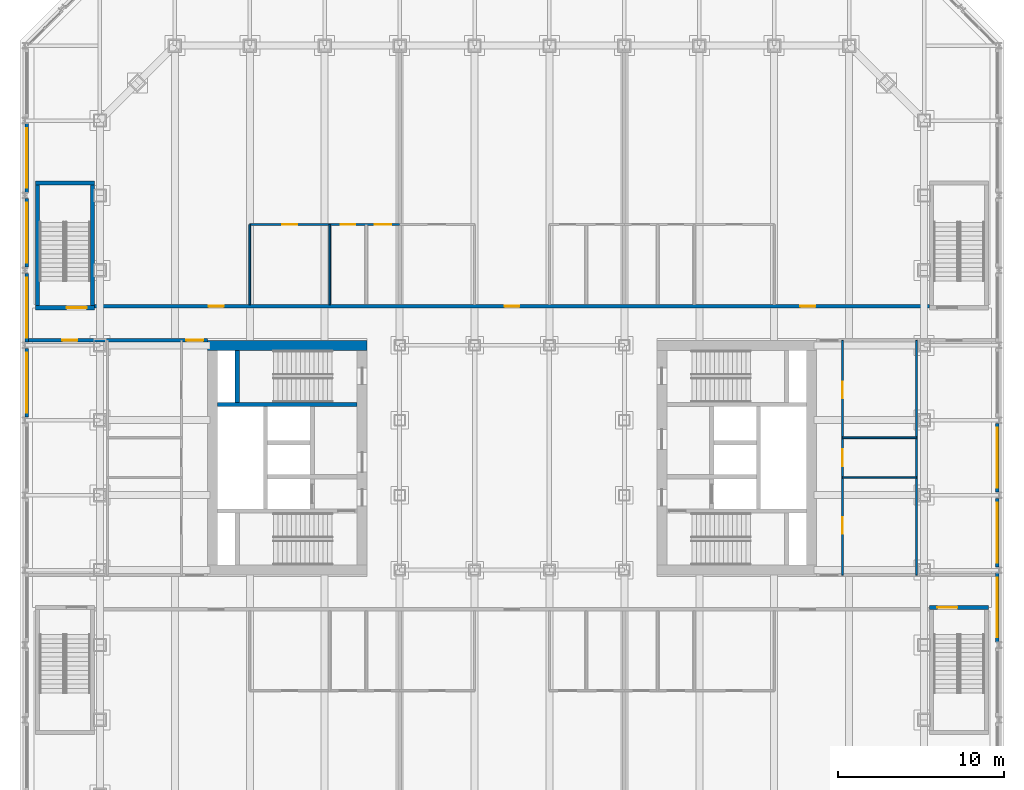
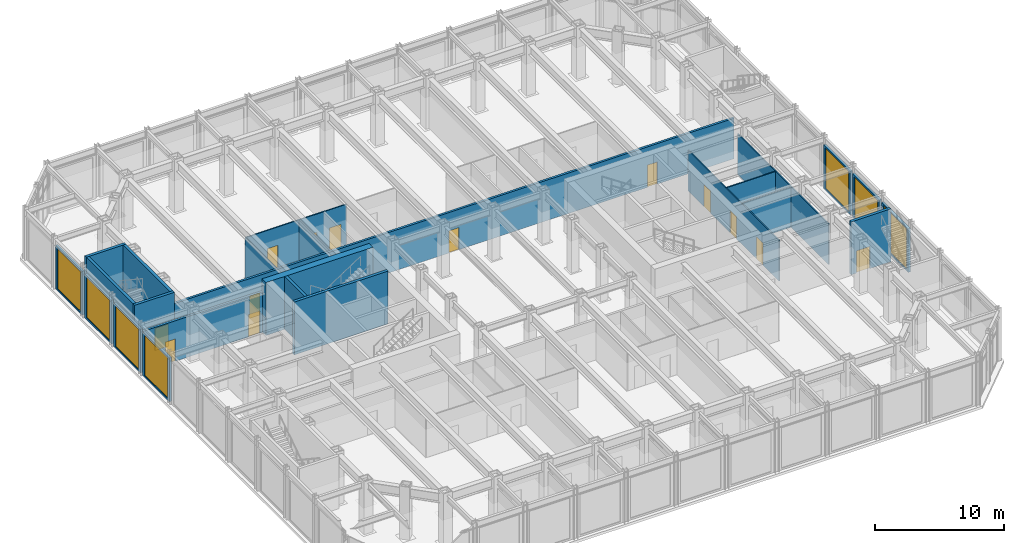
# One storey, part 13 of 19: 24 walls, 13 doors, 7 windows, 20 openings.
"""IFC4 building model written with IfcOpenShell, lengths in metres."""

from ifc_helpers import new_model, si_unit, direction, frame, frame_2d, origin, place, context, subcontext, project, spatial, rectangle, extrude, material, layer, layer_set, type_object, element, fill, save


model = new_model("IFC4")

# Units and contexts
model_context = context("Model", 3, precision=1e-05, world=origin(), true_north=direction((0.0, 1.0)))
body_context = subcontext(model_context, "Body", "Model", "MODEL_VIEW")
ifc_project = project(units=[si_unit("LENGTHUNIT", "METRE"), si_unit("AREAUNIT", "SQUARE_METRE"), si_unit("VOLUMEUNIT", "CUBIC_METRE"), si_unit("PLANEANGLEUNIT", "RADIAN"), si_unit("MASSUNIT", "GRAM", prefix="KILO")], contexts=[model_context])

# Site, building, storey
site_placement = place(None, origin())
site = spatial("IfcSite", under=ifc_project, at=site_placement, CompositionType="ELEMENT")
building_placement = place(site_placement, origin())
building = spatial("IfcBuilding", under=site, at=building_placement, Name="Msasa Ring Tower", CompositionType="ELEMENT")
storey_placement = place(building_placement, frame((0.0, 0.0, 6.0)))
storey = spatial("IfcBuildingStorey", under=building, at=storey_placement, Name="L01", CompositionType="ELEMENT", Elevation=6.0)

# Walls
ifc_material_1 = material(Name="Concrete C60/75", Category="concrete")
ifc_layer_1 = layer(ifc_material_1, 0.60009765625)
ifc_layer_set_1 = layer_set([ifc_layer_1], Name="CW1 CORE WALL 600")
wall_type_1 = type_object("IfcWallType", Name="CW1 CORE WALL 600", PredefinedType="SHEAR", material=ifc_layer_set_1)
wall_1_placement = place(storey_placement, frame((-8.699951171875, 6.75, 0.0), z_axis=(0.0, 0.0, 1.0), x_axis=(-1.0, 0.0, 0.0)))
element("IfcWall", 1, at=wall_1_placement, inside=storey, type_object=wall_type_1, Name="W core wall N L01", PredefinedType="SHEAR", context=body_context, shape_type="SweptSolid", body=[
    extrude(rectangle(XDim=9.60009765625, YDim=0.60009765625, at=frame_2d((4.800048828125, 0.0))), origin(), (0.0, 0.0, 1.0), 5.0),
])
ifc_material_2 = material(Name="Concrete C60/75", Category="concrete")
ifc_layer_2 = layer(ifc_material_2, 0.25)
ifc_layer_set_2 = layer_set([ifc_layer_2], Name="CW4 CORE INNER WALL 250")
wall_type_2 = type_object("IfcWallType", Name="CW4 CORE INNER WALL 250", PredefinedType="SHEAR", material=ifc_layer_set_2)
wall_2_placement = place(storey_placement, frame((-9.300048828125, 3.199951171875, 0.0), z_axis=(0.0, 0.0, 1.0), x_axis=(-1.0, 0.0, 0.0)))
element("IfcWall", 2, at=wall_2_placement, inside=storey, type_object=wall_type_2, Name="W core wall STAIRB L01", PredefinedType="SHEAR", context=body_context, shape_type="SweptSolid", body=[
    extrude(rectangle(XDim=8.39990234375, YDim=0.25, at=frame_2d((4.199951171875, 0.0))), origin(), (0.0, 0.0, 1.0), 5.0),
])
wall_3_placement = place(storey_placement, frame((-16.5, 3.324951171875, 0.0), z_axis=(0.0, 0.0, 1.0), x_axis=(0.0, 1.0, 0.0)))
element("IfcWall", 3, at=wall_3_placement, inside=storey, type_object=wall_type_2, Name="W core wall RISERB L01", PredefinedType="SHEAR", context=body_context, shape_type="SweptSolid", body=[
    extrude(rectangle(XDim=3.125, YDim=0.25, at=frame_2d((1.5625, 0.0))), origin(), (0.0, 0.0, 1.0), 5.0),
])

# Wall, opening, window
ifc_material_3 = material(Name="Terracotta rainscreen on blockwork", Category="masonry")
ifc_layer_3 = layer(ifc_material_3, 0.199951171875)
ifc_layer_set_3 = layer_set([ifc_layer_3], Name="FW2 TERRACOTTA PODIUM BAY WALL 200")
wall_type_3 = type_object("IfcWallType", Name="FW2 TERRACOTTA PODIUM BAY WALL 200", PredefinedType="SOLIDWALL", material=ifc_layer_set_3)
wall_4_placement = place(storey_placement, frame((29.14990234375, -11.0625, 0.0), z_axis=(0.0, 0.0, 1.0), x_axis=(0.0, 1.0, 0.0)))
wall_4 = element("IfcWall", 4, at=wall_4_placement, inside=storey, type_object=wall_type_3, Name="Podium bay wall E L01 16", PredefinedType="SOLIDWALL", context=body_context, shape_type="SweptSolid", body=[
    extrude(rectangle(XDim=4.125, YDim=0.199951171875, at=frame_2d((2.0625, 0.0))), origin(), (0.0, 0.0, 1.0), 4.1328125),
])
opening_1_placement = place(wall_4_placement, frame((0.262451171875, 0.0, 0.14990234375)))
opening_1 = element("IfcOpeningElement", 5, at=opening_1_placement, cuts=wall_4, Name="Opening SF2", PredefinedType="OPENING", context=body_context, shape_type="SweptSolid", body=[
    extrude(rectangle(XDim=3.60009765625, YDim=3.8330078125, at=frame_2d((1.800048828125, 1.91650390625))), frame((0.0, 0.10986328125, 0.0), z_axis=(0.0, -1.0, 0.0), x_axis=(1.0, 0.0, 0.0)), (0.0, 0.0, 1.0), 0.219970703125),
])
ifc_material_4 = material(Name="Aluminium frame with clear glass", Category="aluminium")
window_type = type_object("IfcWindowType", Name="SF2 SHOPFRONT GLAZING 3600x3833", PartitioningType="SINGLE_PANEL", PredefinedType="WINDOW", material=ifc_material_4)
window_1_placement = place(opening_1_placement, origin())
window_1 = element("IfcWindow", 6, at=window_1_placement, inside=storey, type_object=window_type, Name="Shopfront glazing E L01 16", OverallHeight=3.8330078125, OverallWidth=3.60009765625, PartitioningType="SINGLE_PANEL", PredefinedType="WINDOW", context=body_context, shape_type="SweptSolid", body=[
    extrude(rectangle(XDim=3.60009765625, YDim=3.8330078125, at=frame_2d((1.800048828125, 1.91650390625))), frame((0.0, 0.030029296875, 0.0), z_axis=(0.0, -1.0, 0.0), x_axis=(1.0, 0.0, 0.0)), (0.0, 0.0, 1.0), 0.06005859375),
])
fill(opening_1, window_1)

wall_5_placement = place(storey_placement, frame((29.14990234375, -6.5625, 0.0), z_axis=(0.0, 0.0, 1.0), x_axis=(0.0, 1.0, 0.0)))
wall_5 = element("IfcWall", 7, at=wall_5_placement, inside=storey, type_object=wall_type_3, Name="Podium bay wall E L01 17", PredefinedType="SOLIDWALL", context=body_context, shape_type="SweptSolid", body=[
    extrude(rectangle(XDim=4.124755859375, YDim=0.199951171875, at=frame_2d((2.0625, 0.0))), origin(), (0.0, 0.0, 1.0), 4.1328125),
])
opening_2_placement = place(wall_5_placement, frame((0.262451171875, 0.0, 0.14990234375)))
opening_2 = element("IfcOpeningElement", 8, at=opening_2_placement, cuts=wall_5, Name="Opening SF2", PredefinedType="OPENING", context=body_context, shape_type="SweptSolid", body=[
    extrude(rectangle(XDim=3.60009765625, YDim=3.8330078125, at=frame_2d((1.800048828125, 1.91650390625))), frame((0.0, 0.10986328125, 0.0), z_axis=(0.0, -1.0, 0.0), x_axis=(1.0, 0.0, 0.0)), (0.0, 0.0, 1.0), 0.219970703125),
])
window_2_placement = place(opening_2_placement, origin())
window_2 = element("IfcWindow", 9, at=window_2_placement, inside=storey, type_object=window_type, Name="Shopfront glazing E L01 17", OverallHeight=3.8330078125, OverallWidth=3.60009765625, PartitioningType="SINGLE_PANEL", PredefinedType="WINDOW", context=body_context, shape_type="SweptSolid", body=[
    extrude(rectangle(XDim=3.60009765625, YDim=3.8330078125, at=frame_2d((1.800048828125, 1.91650390625))), frame((0.0, 0.030029296875, 0.0), z_axis=(0.0, -1.0, 0.0), x_axis=(1.0, 0.0, 0.0)), (0.0, 0.0, 1.0), 0.06005859375),
])
fill(opening_2, window_2)

wall_6_placement = place(storey_placement, frame((29.14990234375, -2.062255859375, 0.0), z_axis=(0.0, 0.0, 1.0), x_axis=(0.0, 1.0, 0.0)))
wall_6 = element("IfcWall", 10, at=wall_6_placement, inside=storey, type_object=wall_type_3, Name="Podium bay wall E L01 18", PredefinedType="SOLIDWALL", context=body_context, shape_type="SweptSolid", body=[
    extrude(rectangle(XDim=4.12451171875, YDim=0.199951171875, at=frame_2d((2.062255859375, 0.0))), origin(), (0.0, 0.0, 1.0), 4.1328125),
])
opening_3_placement = place(wall_6_placement, frame((0.26220703125, 0.0, 0.14990234375)))
opening_3 = element("IfcOpeningElement", 11, at=opening_3_placement, cuts=wall_6, Name="Opening SF2", PredefinedType="OPENING", context=body_context, shape_type="SweptSolid", body=[
    extrude(rectangle(XDim=3.60009765625, YDim=3.8330078125, at=frame_2d((1.800048828125, 1.91650390625))), frame((0.0, 0.10986328125, 0.0), z_axis=(0.0, -1.0, 0.0), x_axis=(1.0, 0.0, 0.0)), (0.0, 0.0, 1.0), 0.219970703125),
])
window_3_placement = place(opening_3_placement, origin())
window_3 = element("IfcWindow", 12, at=window_3_placement, inside=storey, type_object=window_type, Name="Shopfront glazing E L01 18", OverallHeight=3.8330078125, OverallWidth=3.60009765625, PartitioningType="SINGLE_PANEL", PredefinedType="WINDOW", context=body_context, shape_type="SweptSolid", body=[
    extrude(rectangle(XDim=3.60009765625, YDim=3.8330078125, at=frame_2d((1.800048828125, 1.91650390625))), frame((0.0, 0.030029296875, 0.0), z_axis=(0.0, -1.0, 0.0), x_axis=(1.0, 0.0, 0.0)), (0.0, 0.0, 1.0), 0.06005859375),
])
fill(opening_3, window_3)

wall_7_placement = place(storey_placement, frame((-29.14990234375, 2.437744140625, 0.0), z_axis=(0.0, 0.0, 1.0), x_axis=(0.0, 1.0, 0.0)))
wall_7 = element("IfcWall", 13, at=wall_7_placement, inside=storey, type_object=wall_type_3, Name="Podium bay wall W L01 45", PredefinedType="SOLIDWALL", context=body_context, shape_type="SweptSolid", body=[
    extrude(rectangle(XDim=4.124755859375, YDim=0.199951171875, at=frame_2d((2.0625, 0.0))), origin(), (0.0, 0.0, 1.0), 4.1328125),
])
opening_4_placement = place(wall_7_placement, frame((0.26220703125, 0.0, 0.14990234375)))
opening_4 = element("IfcOpeningElement", 14, at=opening_4_placement, cuts=wall_7, Name="Opening SF2", PredefinedType="OPENING", context=body_context, shape_type="SweptSolid", body=[
    extrude(rectangle(XDim=3.60009765625, YDim=3.8330078125, at=frame_2d((1.800048828125, 1.91650390625))), frame((0.0, 0.10986328125, 0.0), z_axis=(0.0, -1.0, 0.0), x_axis=(1.0, 0.0, 0.0)), (0.0, 0.0, 1.0), 0.219970703125),
])
window_4_placement = place(opening_4_placement, origin())
window_4 = element("IfcWindow", 15, at=window_4_placement, inside=storey, type_object=window_type, Name="Shopfront glazing W L01 45", OverallHeight=3.8330078125, OverallWidth=3.60009765625, PartitioningType="SINGLE_PANEL", PredefinedType="WINDOW", context=body_context, shape_type="SweptSolid", body=[
    extrude(rectangle(XDim=3.60009765625, YDim=3.8330078125, at=frame_2d((1.800048828125, 1.91650390625))), frame((0.0, 0.030029296875, 0.0), z_axis=(0.0, -1.0, 0.0), x_axis=(1.0, 0.0, 0.0)), (0.0, 0.0, 1.0), 0.06005859375),
])
fill(opening_4, window_4)

wall_8_placement = place(storey_placement, frame((-29.14990234375, 6.9375, 0.0), z_axis=(0.0, 0.0, 1.0), x_axis=(0.0, 1.0, 0.0)))
wall_8 = element("IfcWall", 16, at=wall_8_placement, inside=storey, type_object=wall_type_3, Name="Podium bay wall W L01 46", PredefinedType="SOLIDWALL", context=body_context, shape_type="SweptSolid", body=[
    extrude(rectangle(XDim=4.125, YDim=0.199951171875, at=frame_2d((2.0625, 0.0))), origin(), (0.0, 0.0, 1.0), 4.1328125),
])
opening_5_placement = place(wall_8_placement, frame((0.262451171875, 0.0, 0.14990234375)))
opening_5 = element("IfcOpeningElement", 17, at=opening_5_placement, cuts=wall_8, Name="Opening SF2", PredefinedType="OPENING", context=body_context, shape_type="SweptSolid", body=[
    extrude(rectangle(XDim=3.60009765625, YDim=3.8330078125, at=frame_2d((1.800048828125, 1.91650390625))), frame((0.0, 0.10986328125, 0.0), z_axis=(0.0, -1.0, 0.0), x_axis=(1.0, 0.0, 0.0)), (0.0, 0.0, 1.0), 0.219970703125),
])
window_5_placement = place(opening_5_placement, origin())
window_5 = element("IfcWindow", 18, at=window_5_placement, inside=storey, type_object=window_type, Name="Shopfront glazing W L01 46", OverallHeight=3.8330078125, OverallWidth=3.60009765625, PartitioningType="SINGLE_PANEL", PredefinedType="WINDOW", context=body_context, shape_type="SweptSolid", body=[
    extrude(rectangle(XDim=3.60009765625, YDim=3.8330078125, at=frame_2d((1.800048828125, 1.91650390625))), frame((0.0, 0.030029296875, 0.0), z_axis=(0.0, -1.0, 0.0), x_axis=(1.0, 0.0, 0.0)), (0.0, 0.0, 1.0), 0.06005859375),
])
fill(opening_5, window_5)

wall_9_placement = place(storey_placement, frame((-29.14990234375, 11.4375, 0.0), z_axis=(0.0, 0.0, 1.0), x_axis=(0.0, 1.0, 0.0)))
wall_9 = element("IfcWall", 19, at=wall_9_placement, inside=storey, type_object=wall_type_3, Name="Podium bay wall W L01 47", PredefinedType="SOLIDWALL", context=body_context, shape_type="SweptSolid", body=[
    extrude(rectangle(XDim=4.125, YDim=0.199951171875, at=frame_2d((2.0625, 0.0))), origin(), (0.0, 0.0, 1.0), 4.1328125),
])
opening_6_placement = place(wall_9_placement, frame((0.262451171875, 0.0, 0.14990234375)))
opening_6 = element("IfcOpeningElement", 20, at=opening_6_placement, cuts=wall_9, Name="Opening SF2", PredefinedType="OPENING", context=body_context, shape_type="SweptSolid", body=[
    extrude(rectangle(XDim=3.60009765625, YDim=3.8330078125, at=frame_2d((1.800048828125, 1.91650390625))), frame((0.0, 0.10986328125, 0.0), z_axis=(0.0, -1.0, 0.0), x_axis=(1.0, 0.0, 0.0)), (0.0, 0.0, 1.0), 0.219970703125),
])
window_6_placement = place(opening_6_placement, origin())
window_6 = element("IfcWindow", 21, at=window_6_placement, inside=storey, type_object=window_type, Name="Shopfront glazing W L01 47", OverallHeight=3.8330078125, OverallWidth=3.60009765625, PartitioningType="SINGLE_PANEL", PredefinedType="WINDOW", context=body_context, shape_type="SweptSolid", body=[
    extrude(rectangle(XDim=3.60009765625, YDim=3.8330078125, at=frame_2d((1.800048828125, 1.91650390625))), frame((0.0, 0.030029296875, 0.0), z_axis=(0.0, -1.0, 0.0), x_axis=(1.0, 0.0, 0.0)), (0.0, 0.0, 1.0), 0.06005859375),
])
fill(opening_6, window_6)

wall_10_placement = place(storey_placement, frame((-29.14990234375, 15.9375, 0.0), z_axis=(0.0, 0.0, 1.0), x_axis=(0.0, 1.0, 0.0)))
wall_10 = element("IfcWall", 22, at=wall_10_placement, inside=storey, type_object=wall_type_3, Name="Podium bay wall W L01 48", PredefinedType="SOLIDWALL", context=body_context, shape_type="SweptSolid", body=[
    extrude(rectangle(XDim=4.124755859375, YDim=0.199951171875, at=frame_2d((2.0625, 0.0))), origin(), (0.0, 0.0, 1.0), 4.1328125),
])
opening_7_placement = place(wall_10_placement, frame((0.262451171875, 0.0, 0.14990234375)))
opening_7 = element("IfcOpeningElement", 23, at=opening_7_placement, cuts=wall_10, Name="Opening SF2", PredefinedType="OPENING", context=body_context, shape_type="SweptSolid", body=[
    extrude(rectangle(XDim=3.60009765625, YDim=3.8330078125, at=frame_2d((1.800048828125, 1.91650390625))), frame((0.0, 0.10986328125, 0.0), z_axis=(0.0, -1.0, 0.0), x_axis=(1.0, 0.0, 0.0)), (0.0, 0.0, 1.0), 0.219970703125),
])
window_7_placement = place(opening_7_placement, origin())
window_7 = element("IfcWindow", 24, at=window_7_placement, inside=storey, type_object=window_type, Name="Shopfront glazing W L01 48", OverallHeight=3.8330078125, OverallWidth=3.60009765625, PartitioningType="SINGLE_PANEL", PredefinedType="WINDOW", context=body_context, shape_type="SweptSolid", body=[
    extrude(rectangle(XDim=3.60009765625, YDim=3.8330078125, at=frame_2d((1.800048828125, 1.91650390625))), frame((0.0, 0.030029296875, 0.0), z_axis=(0.0, -1.0, 0.0), x_axis=(1.0, 0.0, 0.0)), (0.0, 0.0, 1.0), 0.06005859375),
])
fill(opening_7, window_7)

# Wall, openings, doors
ifc_material_5 = material(Name="Concrete blockwork", Category="masonry")
ifc_layer_4 = layer(ifc_material_5, 0.199951171875)
ifc_layer_set_4 = layer_set([ifc_layer_4], Name="PT1 CORRIDOR WALL 200")
wall_type_4 = type_object("IfcWallType", Name="PT1 CORRIDOR WALL 200", PredefinedType="PARTITIONING", material=ifc_layer_set_4)
wall_11_placement = place(storey_placement, frame((-25.074951171875, 9.10009765625, 0.0), z_axis=(0.0, 0.0, 1.0), x_axis=(1.0, 0.0, 0.0)))
wall_11 = element("IfcWall", 25, at=wall_11_placement, inside=storey, type_object=wall_type_4, Name="Corridor wall L01-CORRN1", PredefinedType="PARTITIONING", context=body_context, shape_type="SweptSolid", body=[
    extrude(rectangle(XDim=50.14990234375, YDim=0.199951171875, at=frame_2d((25.074951171875, 0.0))), origin(), (0.0, 0.0, 1.0), 3.8291015625),
])
opening_8_placement = place(wall_11_placement, frame((6.85009765625, 0.0, 0.0)))
opening_8 = element("IfcOpeningElement", 26, at=opening_8_placement, cuts=wall_11, Name="Opening L01-010", PredefinedType="OPENING", context=body_context, shape_type="SweptSolid", body=[
    extrude(rectangle(XDim=0.89990234375, YDim=2.10009765625, at=frame_2d((0.449951171875, 1.050048828125))), frame((0.0, 0.10986328125, 0.0), z_axis=(0.0, -1.0, 0.0), x_axis=(1.0, 0.0, 0.0)), (0.0, 0.0, 1.0), 0.219970703125),
])
opening_9_placement = place(wall_11_placement, frame((24.625, 0.0, 0.0)))
opening_9 = element("IfcOpeningElement", 27, at=opening_9_placement, cuts=wall_11, Name="Opening L01-011", PredefinedType="OPENING", context=body_context, shape_type="SweptSolid", body=[
    extrude(rectangle(XDim=0.89990234375, YDim=2.10009765625, at=frame_2d((0.449951171875, 1.050048828125))), frame((0.0, 0.10986328125, 0.0), z_axis=(0.0, -1.0, 0.0), x_axis=(1.0, 0.0, 0.0)), (0.0, 0.0, 1.0), 0.219970703125),
])
opening_10_placement = place(wall_11_placement, frame((42.39990234375, 0.0, 0.0)))
opening_10 = element("IfcOpeningElement", 28, at=opening_10_placement, cuts=wall_11, Name="Opening L01-012", PredefinedType="OPENING", context=body_context, shape_type="SweptSolid", body=[
    extrude(rectangle(XDim=0.89990234375, YDim=2.10009765625, at=frame_2d((0.449951171875, 1.050048828125))), frame((0.0, 0.10986328125, 0.0), z_axis=(0.0, -1.0, 0.0), x_axis=(1.0, 0.0, 0.0)), (0.0, 0.0, 1.0), 0.219970703125),
])
ifc_material_6 = material(Name="Timber door leaf in a steel frame", Category="steel")
door_type_1 = type_object("IfcDoorType", Name="D1 SINGLE DOOR TO CORRIDOR 900x2100", OperationType="SINGLE_SWING_LEFT", PredefinedType="DOOR", material=ifc_material_6)
door_1_placement = place(opening_8_placement, origin())
door_1 = element("IfcDoor", 29, at=door_1_placement, inside=storey, type_object=door_type_1, Name="Door L01-PDN0", OperationType="SINGLE_SWING_LEFT", OverallHeight=2.10009765625, OverallWidth=0.89990234375, PredefinedType="DOOR", context=body_context, shape_type="SweptSolid", body=[
    extrude(rectangle(XDim=0.89990234375, YDim=2.10009765625, at=frame_2d((0.449951171875, 1.050048828125))), frame((0.0, 0.02490234375, 0.0), z_axis=(0.0, -1.0, 0.0), x_axis=(1.0, 0.0, 0.0)), (0.0, 0.0, 1.0), 0.050048828125),
])
fill(opening_8, door_1)
door_2_placement = place(opening_9_placement, origin())
door_2 = element("IfcDoor", 30, at=door_2_placement, inside=storey, type_object=door_type_1, Name="Door L01-PDN1", OperationType="SINGLE_SWING_LEFT", OverallHeight=2.10009765625, OverallWidth=0.89990234375, PredefinedType="DOOR", context=body_context, shape_type="SweptSolid", body=[
    extrude(rectangle(XDim=0.89990234375, YDim=2.10009765625, at=frame_2d((0.449951171875, 1.050048828125))), frame((0.0, 0.02490234375, 0.0), z_axis=(0.0, -1.0, 0.0), x_axis=(1.0, 0.0, 0.0)), (0.0, 0.0, 1.0), 0.050048828125),
])
fill(opening_9, door_2)
door_3_placement = place(opening_10_placement, origin())
door_3 = element("IfcDoor", 31, at=door_3_placement, inside=storey, type_object=door_type_1, Name="Door L01-PDN2", OperationType="SINGLE_SWING_RIGHT", OverallHeight=2.10009765625, OverallWidth=0.89990234375, PredefinedType="DOOR", context=body_context, shape_type="SweptSolid", body=[
    extrude(rectangle(XDim=0.89990234375, YDim=2.10009765625, at=frame_2d((0.449951171875, 1.050048828125))), frame((0.0, 0.02490234375, 0.0), z_axis=(0.0, -1.0, 0.0), x_axis=(1.0, 0.0, 0.0)), (0.0, 0.0, 1.0), 0.050048828125),
])
fill(opening_10, door_3)

wall_12_placement = place(storey_placement, frame((-29.050048828125, 7.050048828125, 0.0), z_axis=(0.0, 0.0, 1.0), x_axis=(1.0, 0.0, 0.0)))
wall_12 = element("IfcWall", 32, at=wall_12_placement, inside=storey, type_object=wall_type_4, Name="Corridor wall L01-STRWN", PredefinedType="PARTITIONING", context=body_context, shape_type="SweptSolid", body=[
    extrude(rectangle(XDim=10.75, YDim=0.199951171875, at=frame_2d((5.375, 0.0))), origin(), (0.0, 0.0, 1.0), 3.8291015625),
])
opening_11_placement = place(wall_12_placement, frame((2.052490234375, 0.0, 0.0)))
opening_11 = element("IfcOpeningElement", 33, at=opening_11_placement, cuts=wall_12, Name="Opening L01-015", PredefinedType="OPENING", context=body_context, shape_type="SweptSolid", body=[
    extrude(rectangle(XDim=0.89990234375, YDim=2.10009765625, at=frame_2d((0.449951171875, 1.050048828125))), frame((0.0, 0.10986328125, 0.0), z_axis=(0.0, -1.0, 0.0), x_axis=(1.0, 0.0, 0.0)), (0.0, 0.0, 1.0), 0.219970703125),
])
opening_12_placement = place(wall_12_placement, frame((9.5, 0.0, 0.0)))
opening_12 = element("IfcOpeningElement", 34, at=opening_12_placement, cuts=wall_12, Name="Opening L01-016", PredefinedType="OPENING", context=body_context, shape_type="SweptSolid", body=[
    extrude(rectangle(XDim=1.0, YDim=2.10009765625, at=frame_2d((0.5, 1.050048828125))), frame((0.0, 0.10986328125, 0.0), z_axis=(0.0, -1.0, 0.0), x_axis=(1.0, 0.0, 0.0)), (0.0, 0.0, 1.0), 0.219970703125),
])
door_4_placement = place(opening_11_placement, origin())
door_4 = element("IfcDoor", 35, at=door_4_placement, inside=storey, type_object=door_type_1, Name="Door L01-WOW", OperationType="SINGLE_SWING_LEFT", OverallHeight=2.10009765625, OverallWidth=0.89990234375, PredefinedType="DOOR", context=body_context, shape_type="SweptSolid", body=[
    extrude(rectangle(XDim=0.89990234375, YDim=2.10009765625, at=frame_2d((0.449951171875, 1.050048828125))), frame((0.0, 0.02490234375, 0.0), z_axis=(0.0, -1.0, 0.0), x_axis=(1.0, 0.0, 0.0)), (0.0, 0.0, 1.0), 0.050048828125),
])
fill(opening_11, door_4)
ifc_material_7 = material(Name="Timber door leaf in a steel frame", Category="steel")
door_type_2 = type_object("IfcDoorType", Name="D12 WC DOOR 1000x2100", OperationType="SINGLE_SWING_LEFT", PredefinedType="DOOR", material=ifc_material_7)
door_5_placement = place(opening_12_placement, origin())
door_5 = element("IfcDoor", 36, at=door_5_placement, inside=storey, type_object=door_type_2, Name="Door L01-WLWN", OperationType="SINGLE_SWING_RIGHT", OverallHeight=2.10009765625, OverallWidth=1.0, PredefinedType="DOOR", context=body_context, shape_type="SweptSolid", body=[
    extrude(rectangle(XDim=1.0, YDim=2.10009765625, at=frame_2d((0.5, 1.050048828125))), frame((0.0, 0.02490234375, 0.0), z_axis=(0.0, -1.0, 0.0), x_axis=(1.0, 0.0, 0.0)), (0.0, 0.0, 1.0), 0.050048828125),
])
fill(opening_12, door_5)

ifc_material_8 = material(Name="Gypsum board on steel studs", Category="steel")
ifc_layer_5 = layer(ifc_material_8, 0.10009765625)
ifc_layer_set_5 = layer_set([ifc_layer_5], Name="PT2 STUD PARTITION 100")
wall_type_5 = type_object("IfcWallType", Name="PT2 STUD PARTITION 100", PredefinedType="PARTITIONING", material=ifc_layer_set_5)
wall_13_placement = place(storey_placement, frame((-15.75, 14.0, 0.0), z_axis=(0.0, 0.0, 1.0), x_axis=(1.0, 0.0, 0.0)))
wall_13 = element("IfcWall", 37, at=wall_13_placement, inside=storey, type_object=wall_type_5, Name="Partition L01-PDN0BY", PredefinedType="PARTITIONING", context=body_context, shape_type="SweptSolid", body=[
    extrude(rectangle(XDim=9.0, YDim=0.10009765625, at=frame_2d((4.5, 0.0))), origin(), (0.0, 0.0, 1.0), 3.8291015625),
])
opening_13_placement = place(wall_13_placement, frame((1.949951171875, 0.0, 0.0)))
opening_13 = element("IfcOpeningElement", 38, at=opening_13_placement, cuts=wall_13, Name="Opening L01-001", PredefinedType="OPENING", context=body_context, shape_type="SweptSolid", body=[
    extrude(rectangle(XDim=0.89990234375, YDim=2.10009765625, at=frame_2d((0.449951171875, 1.050048828125))), frame((0.0, 0.06005859375, 0.0), z_axis=(0.0, -1.0, 0.0), x_axis=(1.0, 0.0, 0.0)), (0.0, 0.0, 1.0), 0.1201171875),
])
opening_14_placement = place(wall_13_placement, frame((5.449951171875, 0.0, 0.0)))
opening_14 = element("IfcOpeningElement", 39, at=opening_14_placement, cuts=wall_13, Name="Opening L01-002", PredefinedType="OPENING", context=body_context, shape_type="SweptSolid", body=[
    extrude(rectangle(XDim=0.89990234375, YDim=2.10009765625, at=frame_2d((0.449951171875, 1.050048828125))), frame((0.0, 0.06005859375, 0.0), z_axis=(0.0, -1.0, 0.0), x_axis=(1.0, 0.0, 0.0)), (0.0, 0.0, 1.0), 0.1201171875),
])
opening_15_placement = place(wall_13_placement, frame((7.5, 0.0, 0.0)))
opening_15 = element("IfcOpeningElement", 40, at=opening_15_placement, cuts=wall_13, Name="Opening L01-003", PredefinedType="OPENING", context=body_context, shape_type="SweptSolid", body=[
    extrude(rectangle(XDim=1.0, YDim=2.10009765625, at=frame_2d((0.5, 1.050048828125))), frame((0.0, 0.06005859375, 0.0), z_axis=(0.0, -1.0, 0.0), x_axis=(1.0, 0.0, 0.0)), (0.0, 0.0, 1.0), 0.1201171875),
])
door_6_placement = place(opening_15_placement, origin())
door_6 = element("IfcDoor", 41, at=door_6_placement, inside=storey, type_object=door_type_2, Name="Door L01-PDN0B2", OperationType="SINGLE_SWING_RIGHT", OverallHeight=2.10009765625, OverallWidth=1.0, PredefinedType="DOOR", context=body_context, shape_type="SweptSolid", body=[
    extrude(rectangle(XDim=1.0, YDim=2.10009765625, at=frame_2d((0.5, 1.050048828125))), frame((0.0, 0.02490234375, 0.0), z_axis=(0.0, -1.0, 0.0), x_axis=(1.0, 0.0, 0.0)), (0.0, 0.0, 1.0), 0.050048828125),
])
fill(opening_15, door_6)
ifc_material_9 = material(Name="Timber door leaf in a steel frame", Category="steel")
door_type_3 = type_object("IfcDoorType", Name="D22 INTERNAL HALL DOOR 900x2100", OperationType="SINGLE_SWING_LEFT", PredefinedType="DOOR", material=ifc_material_9)
door_7_placement = place(opening_13_placement, origin())
door_7 = element("IfcDoor", 42, at=door_7_placement, inside=storey, type_object=door_type_3, Name="Door L01-PDN0B0", OperationType="SINGLE_SWING_LEFT", OverallHeight=2.10009765625, OverallWidth=0.89990234375, PredefinedType="DOOR", context=body_context, shape_type="SweptSolid", body=[
    extrude(rectangle(XDim=0.89990234375, YDim=2.10009765625, at=frame_2d((0.449951171875, 1.050048828125))), frame((0.0, 0.02490234375, 0.0), z_axis=(0.0, -1.0, 0.0), x_axis=(1.0, 0.0, 0.0)), (0.0, 0.0, 1.0), 0.050048828125),
])
fill(opening_13, door_7)
door_8_placement = place(opening_14_placement, origin())
door_8 = element("IfcDoor", 43, at=door_8_placement, inside=storey, type_object=door_type_3, Name="Door L01-PDN0B1", OperationType="SINGLE_SWING_RIGHT", OverallHeight=2.10009765625, OverallWidth=0.89990234375, PredefinedType="DOOR", context=body_context, shape_type="SweptSolid", body=[
    extrude(rectangle(XDim=0.89990234375, YDim=2.10009765625, at=frame_2d((0.449951171875, 1.050048828125))), frame((0.0, 0.02490234375, 0.0), z_axis=(0.0, -1.0, 0.0), x_axis=(1.0, 0.0, 0.0)), (0.0, 0.0, 1.0), 0.050048828125),
])
fill(opening_14, door_8)

# Walls
for number, where, z_axis, x_axis, name in (
    (44, (-15.75, 9.199951171875, 0.0), (0.0, 0.0, 1.0), (0.0, 1.0, 0.0), "Partition L01-PDN0BX-15.75"),
    (45, (-10.949951171875, 9.199951171875, 0.0), (0.0, 0.0, 1.0), (0.0, 1.0, 0.0), "Partition L01-PDN0BX-10.95"),
):
    element("IfcWall", number, at=place(storey_placement, frame(where, z_axis=z_axis, x_axis=x_axis)), inside=storey, type_object=wall_type_5, Name=name, PredefinedType="PARTITIONING", context=body_context, shape_type="SweptSolid", body=[
        extrude(rectangle(XDim=4.800048828125, YDim=0.10009765625, at=frame_2d((2.39990234375, 0.0))), origin(), (0.0, 0.0, 1.0), 3.8291015625),
    ])

# Wall, openings, doors
wall_14_placement = place(storey_placement, frame((19.85009765625, -7.050048828125, 0.0), z_axis=(0.0, 0.0, 1.0), x_axis=(0.0, 1.0, 0.0)))
wall_14 = element("IfcWall", 46, at=wall_14_placement, inside=storey, type_object=wall_type_5, Name="Partition L01-WCEL", PredefinedType="PARTITIONING", context=body_context, shape_type="SweptSolid", body=[
    extrude(rectangle(XDim=14.10009765625, YDim=0.10009765625, at=frame_2d((7.050048828125, 0.0))), origin(), (0.0, 0.0, 1.0), 3.8291015625),
])
opening_16_placement = place(wall_14_placement, frame((2.47509765625, 0.0, 0.0)))
opening_16 = element("IfcOpeningElement", 47, at=opening_16_placement, cuts=wall_14, Name="Opening L01-032", PredefinedType="OPENING", context=body_context, shape_type="SweptSolid", body=[
    extrude(rectangle(XDim=1.0, YDim=2.10009765625, at=frame_2d((0.5, 1.050048828125))), frame((0.0, 0.06005859375, 0.0), z_axis=(0.0, -1.0, 0.0), x_axis=(1.0, 0.0, 0.0)), (0.0, 0.0, 1.0), 0.1201171875),
])
opening_17_placement = place(wall_14_placement, frame((6.550048828125, 0.0, 0.0)))
opening_17 = element("IfcOpeningElement", 48, at=opening_17_placement, cuts=wall_14, Name="Opening L01-025", PredefinedType="OPENING", context=body_context, shape_type="SweptSolid", body=[
    extrude(rectangle(XDim=1.0, YDim=2.10009765625, at=frame_2d((0.5, 1.050048828125))), frame((0.0, 0.06005859375, 0.0), z_axis=(0.0, -1.0, 0.0), x_axis=(1.0, 0.0, 0.0)), (0.0, 0.0, 1.0), 0.1201171875),
])
opening_18_placement = place(wall_14_placement, frame((10.625, 0.0, 0.0)))
opening_18 = element("IfcOpeningElement", 49, at=opening_18_placement, cuts=wall_14, Name="Opening L01-022", PredefinedType="OPENING", context=body_context, shape_type="SweptSolid", body=[
    extrude(rectangle(XDim=1.0, YDim=2.10009765625, at=frame_2d((0.5, 1.050048828125))), frame((0.0, 0.06005859375, 0.0), z_axis=(0.0, -1.0, 0.0), x_axis=(1.0, 0.0, 0.0)), (0.0, 0.0, 1.0), 0.1201171875),
])
door_9_placement = place(opening_16_placement, origin())
door_9 = element("IfcDoor", 50, at=door_9_placement, inside=storey, type_object=door_type_2, Name="Door L01-WCE0", OperationType="SINGLE_SWING_LEFT", OverallHeight=2.10009765625, OverallWidth=1.0, PredefinedType="DOOR", context=body_context, shape_type="SweptSolid", body=[
    extrude(rectangle(XDim=1.0, YDim=2.10009765625, at=frame_2d((0.5, 1.050048828125))), frame((0.0, 0.02490234375, 0.0), z_axis=(0.0, -1.0, 0.0), x_axis=(1.0, 0.0, 0.0)), (0.0, 0.0, 1.0), 0.050048828125),
])
fill(opening_16, door_9)
door_10_placement = place(opening_17_placement, origin())
door_10 = element("IfcDoor", 51, at=door_10_placement, inside=storey, type_object=door_type_2, Name="Door L01-WCE1", OperationType="SINGLE_SWING_LEFT", OverallHeight=2.10009765625, OverallWidth=1.0, PredefinedType="DOOR", context=body_context, shape_type="SweptSolid", body=[
    extrude(rectangle(XDim=1.0, YDim=2.10009765625, at=frame_2d((0.5, 1.050048828125))), frame((0.0, 0.02490234375, 0.0), z_axis=(0.0, -1.0, 0.0), x_axis=(1.0, 0.0, 0.0)), (0.0, 0.0, 1.0), 0.050048828125),
])
fill(opening_17, door_10)
door_11_placement = place(opening_18_placement, origin())
door_11 = element("IfcDoor", 52, at=door_11_placement, inside=storey, type_object=door_type_2, Name="Door L01-WCE2", OperationType="SINGLE_SWING_RIGHT", OverallHeight=2.10009765625, OverallWidth=1.0, PredefinedType="DOOR", context=body_context, shape_type="SweptSolid", body=[
    extrude(rectangle(XDim=1.0, YDim=2.10009765625, at=frame_2d((0.5, 1.050048828125))), frame((0.0, 0.02490234375, 0.0), z_axis=(0.0, -1.0, 0.0), x_axis=(1.0, 0.0, 0.0)), (0.0, 0.0, 1.0), 0.050048828125),
])
fill(opening_18, door_11)

# Walls
for number, where, z_axis, x_axis, name in (
    (53, (19.85009765625, -1.199951171875, 0.0), (0.0, 0.0, 1.0), (1.0, 0.0, 0.0), "Partition L01-WCEX0"),
    (54, (19.85009765625, 1.199951171875, 0.0), (0.0, 0.0, 1.0), (1.0, 0.0, 0.0), "Partition L01-WCEX1"),
):
    element("IfcWall", number, at=place(storey_placement, frame(where, z_axis=z_axis, x_axis=x_axis)), inside=storey, type_object=wall_type_5, Name=name, PredefinedType="PARTITIONING", context=body_context, shape_type="SweptSolid", body=[
        extrude(rectangle(XDim=4.44482421875, YDim=0.10009765625, at=frame_2d((2.222412109375, 0.0))), origin(), (0.0, 0.0, 1.0), 3.8291015625),
    ])
wall_15_placement = place(storey_placement, frame((24.294921875, -7.050048828125, 0.0), z_axis=(0.0, 0.0, 1.0), x_axis=(0.0, 1.0, 0.0)))
element("IfcWall", 55, at=wall_15_placement, inside=storey, type_object=wall_type_5, Name="Partition L01-WCEC", PredefinedType="PARTITIONING", context=body_context, shape_type="SweptSolid", body=[
    extrude(rectangle(XDim=14.10009765625, YDim=0.10009765625, at=frame_2d((7.050048828125, 0.0))), origin(), (0.0, 0.0, 1.0), 3.8291015625),
])

# Wall, opening, door
ifc_material_10 = material(Name="Concrete C60/75", Category="concrete")
ifc_layer_6 = layer(ifc_material_10, 0.25)
ifc_layer_set_6 = layer_set([ifc_layer_6], Name="SW1 STAIR WALL 250")
wall_type_6 = type_object("IfcWallType", Name="SW1 STAIR WALL 250", PredefinedType="SHEAR", material=ifc_layer_set_6)
wall_16_placement = place(storey_placement, frame((25.074951171875, -9.0, 0.0), z_axis=(0.0, 0.0, 1.0), x_axis=(1.0, 0.0, 0.0)))
wall_16 = element("IfcWall", 56, at=wall_16_placement, inside=storey, type_object=wall_type_6, Name="Podium stair ES wall N L01", PredefinedType="SHEAR", context=body_context, shape_type="SweptSolid", body=[
    extrude(rectangle(XDim=3.550048828125, YDim=0.25, at=frame_2d((1.77490234375, 0.0))), origin(), (0.0, 0.0, 1.0), 5.0),
])
opening_19_placement = place(wall_16_placement, frame((0.47509765625, 0.0, 0.0)))
opening_19 = element("IfcOpeningElement", 57, at=opening_19_placement, cuts=wall_16, Name="Opening L01-036", PredefinedType="OPENING", context=body_context, shape_type="SweptSolid", body=[
    extrude(rectangle(XDim=1.199951171875, YDim=2.10009765625, at=frame_2d((0.60009765625, 1.050048828125))), frame((0.0, 0.135009765625, 0.0), z_axis=(0.0, -1.0, 0.0), x_axis=(1.0, 0.0, 0.0)), (0.0, 0.0, 1.0), 0.27001953125),
])
ifc_material_11 = material(Name="Timber door leaf in a steel frame", Category="steel")
door_type_4 = type_object("IfcDoorType", Name="D7 WIDE STAIR DOOR 1200x2100", OperationType="SINGLE_SWING_LEFT", PredefinedType="DOOR", material=ifc_material_11)
door_12_placement = place(opening_19_placement, origin())
door_12 = element("IfcDoor", 58, at=door_12_placement, inside=storey, type_object=door_type_4, Name="Door L01-PSTES", OperationType="SINGLE_SWING_LEFT", OverallHeight=2.10009765625, OverallWidth=1.199951171875, PredefinedType="DOOR", context=body_context, shape_type="SweptSolid", body=[
    extrude(rectangle(XDim=1.199951171875, YDim=2.10009765625, at=frame_2d((0.60009765625, 1.050048828125))), frame((0.0, 0.02490234375, 0.0), z_axis=(0.0, -1.0, 0.0), x_axis=(1.0, 0.0, 0.0)), (0.0, 0.0, 1.0), 0.050048828125),
])
fill(opening_19, door_12)

wall_17_placement = place(storey_placement, frame((-28.625, 9.0, 0.0), z_axis=(0.0, 0.0, 1.0), x_axis=(1.0, 0.0, 0.0)))
wall_17 = element("IfcWall", 59, at=wall_17_placement, inside=storey, type_object=wall_type_6, Name="Podium stair WN wall S L01", PredefinedType="SHEAR", context=body_context, shape_type="SweptSolid", body=[
    extrude(rectangle(XDim=3.550048828125, YDim=0.25, at=frame_2d((1.77490234375, 0.0))), origin(), (0.0, 0.0, 1.0), 5.0),
])
opening_20_placement = place(wall_17_placement, frame((1.875, 0.0, 0.0)))
opening_20 = element("IfcOpeningElement", 60, at=opening_20_placement, cuts=wall_17, Name="Opening L01-013", PredefinedType="OPENING", context=body_context, shape_type="SweptSolid", body=[
    extrude(rectangle(XDim=1.199951171875, YDim=2.10009765625, at=frame_2d((0.60009765625, 1.050048828125))), frame((0.0, 0.135009765625, 0.0), z_axis=(0.0, -1.0, 0.0), x_axis=(1.0, 0.0, 0.0)), (0.0, 0.0, 1.0), 0.27001953125),
])
door_13_placement = place(opening_20_placement, origin())
door_13 = element("IfcDoor", 61, at=door_13_placement, inside=storey, type_object=door_type_4, Name="Door L01-PSTWN", OperationType="SINGLE_SWING_RIGHT", OverallHeight=2.10009765625, OverallWidth=1.199951171875, PredefinedType="DOOR", context=body_context, shape_type="SweptSolid", body=[
    extrude(rectangle(XDim=1.199951171875, YDim=2.10009765625, at=frame_2d((0.60009765625, 1.050048828125))), frame((0.0, 0.02490234375, 0.0), z_axis=(0.0, -1.0, 0.0), x_axis=(1.0, 0.0, 0.0)), (0.0, 0.0, 1.0), 0.050048828125),
])
fill(opening_20, door_13)

# Walls
wall_18_placement = place(storey_placement, frame((-28.625, 16.5, 0.0), z_axis=(0.0, 0.0, 1.0), x_axis=(1.0, 0.0, 0.0)))
element("IfcWall", 62, at=wall_18_placement, inside=storey, type_object=wall_type_6, Name="Podium stair WN wall N L01", PredefinedType="SHEAR", context=body_context, shape_type="SweptSolid", body=[
    extrude(rectangle(XDim=3.550048828125, YDim=0.25, at=frame_2d((1.77490234375, 0.0))), origin(), (0.0, 0.0, 1.0), 5.0),
])
for number, where, z_axis, x_axis, name in (
    (63, (-28.5, 9.125, 0.0), (0.0, 0.0, 1.0), (0.0, 1.0, 0.0), "Podium stair WN wall W L01"),
    (64, (-25.199951171875, 9.125, 0.0), (0.0, 0.0, 1.0), (0.0, 1.0, 0.0), "Podium stair WN wall E L01"),
):
    element("IfcWall", number, at=place(storey_placement, frame(where, z_axis=z_axis, x_axis=x_axis)), inside=storey, type_object=wall_type_6, Name=name, PredefinedType="SHEAR", context=body_context, shape_type="SweptSolid", body=[
        extrude(rectangle(XDim=7.25, YDim=0.25, at=frame_2d((3.625, 0.0))), origin(), (0.0, 0.0, 1.0), 5.0),
    ])

save(model, "model.ifc")
